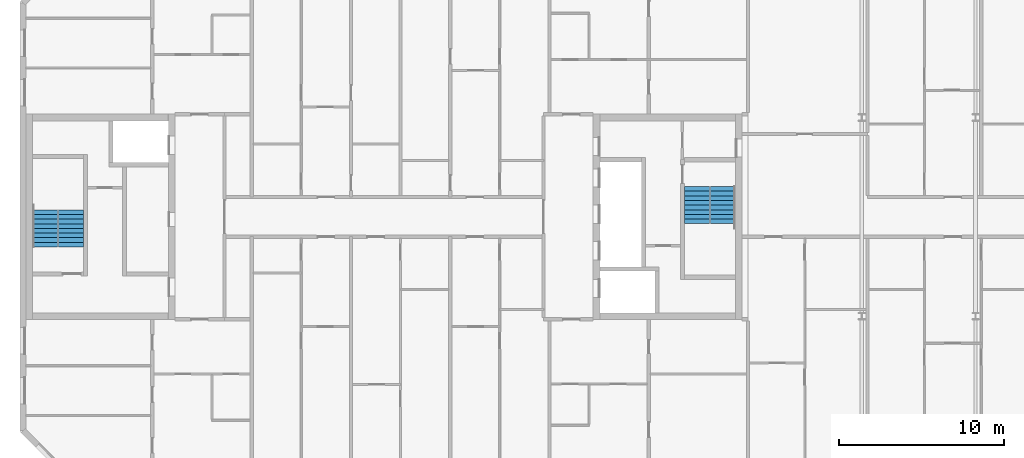
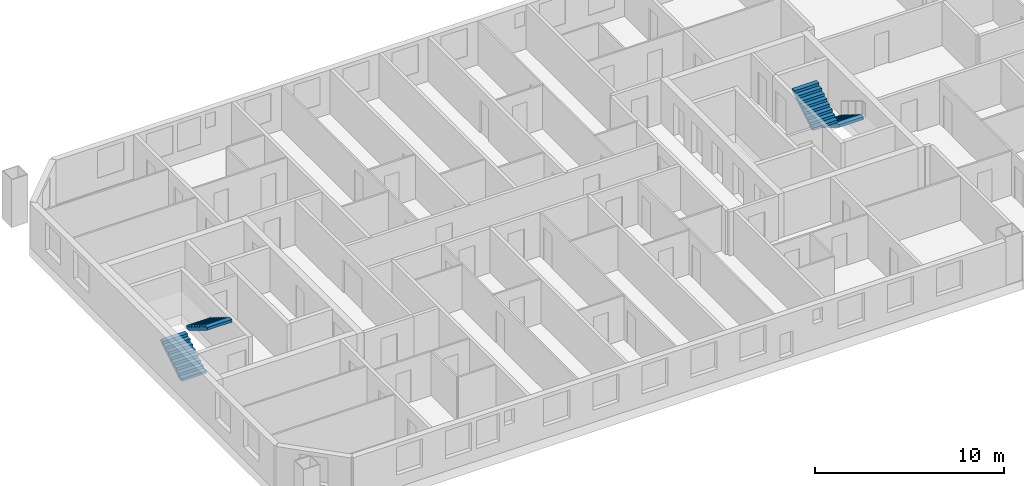
# One storey, part 18 of 19: 4 stair flights, 2 elements without a shape of their own.
"""IFC4 building model written with IfcOpenShell, lengths in metres."""

from ifc_helpers import new_model, si_unit, direction, frame, origin, place, context, subcontext, project, spatial, faceted_brep, material, type_object, element, aggregate, save


model = new_model("IFC4")

# Units and contexts
model_context = context("Model", 3, precision=1e-05, world=origin(), true_north=direction((0.0, 1.0)))
body_context = subcontext(model_context, "Body", "Model", "MODEL_VIEW")
ifc_project = project(units=[si_unit("LENGTHUNIT", "METRE"), si_unit("AREAUNIT", "SQUARE_METRE"), si_unit("VOLUMEUNIT", "CUBIC_METRE"), si_unit("PLANEANGLEUNIT", "RADIAN"), si_unit("MASSUNIT", "GRAM", prefix="KILO")], contexts=[model_context])

# Site, building, storey
site_placement = place(None, origin())
site = spatial("IfcSite", under=ifc_project, at=site_placement, CompositionType="ELEMENT")
building_placement = place(site_placement, origin())
building = spatial("IfcBuilding", under=site, at=building_placement, Name="Tuart Gate Housing", CompositionType="ELEMENT")
storey_placement = place(building_placement, frame((0.0, 0.0, 221.39990234375)))
storey = spatial("IfcBuildingStorey", under=building, at=storey_placement, Name="L62", CompositionType="ELEMENT", Elevation=221.39990234375)

# Stair, stair flights
ifc_material_1 = material(Name="Concrete C40", Category="concrete")
stair_type = type_object("IfcStairType", Name="Core stair 1500", PredefinedType="HALF_TURN_STAIR", material=ifc_material_1)
stair_1_placement = place(storey_placement, origin())
stair_1 = element("IfcStair", 1, at=stair_1_placement, inside=storey, type_object=stair_type, Name="Stair SA1", PredefinedType="HALF_TURN_STAIR")
ifc_material_2 = material(Name="Concrete C40", Category="concrete")
stair_flight_type = type_object("IfcStairFlightType", Name="Stair flight 1500, 9 risers 172 x 280", PredefinedType="STRAIGHT", material=ifc_material_2)
stair_flight_1_placement = place(storey_placement, frame((74.489990234375, 71.824951171875, 0.0), z_axis=(0.0, 0.0, 1.0), x_axis=(0.0, -1.0, 0.0)))
stair_flight_1 = element("IfcStairFlight", 2, at=stair_flight_1_placement, type_object=stair_flight_type, Name="SA1 flight 1", NumberOfRisers=9, NumberOfTreads=8, PredefinedType="STRAIGHT", RiserHeight=0.172222222, TreadLength=0.28, context=body_context, shape_type="Brep", body=[
    faceted_brep([(0.0, 0.75, 0.0), (0.0, 0.75, 0.172119140625), (0.280029296875, 0.75, 0.172119140625), (0.280029296875, 0.75, 0.344482421875), (0.56005859375, 0.75, 0.344482421875), (0.56005859375, 0.75, 0.5166015625), (0.840087890625, 0.75, 0.5166015625), (0.840087890625, 0.75, 0.68896484375), (1.1201171875, 0.75, 0.68896484375), (1.1201171875, 0.75, 0.861083984375), (1.39990234375, 0.75, 0.861083984375), (1.39990234375, 0.75, 1.033447265625), (1.679931640625, 0.75, 1.033447265625), (1.679931640625, 0.75, 1.20556640625), (1.9599609375, 0.75, 1.20556640625), (1.9599609375, 0.75, 1.377685546875), (2.239990234375, 0.75, 1.377685546875), (2.239990234375, 0.75, 1.201904296875), (0.2861328125, 0.75, 0.0), (0.2861328125, -0.75, 0.0), (2.239990234375, -0.75, 1.201904296875), (2.239990234375, -0.75, 1.377685546875), (1.9599609375, -0.75, 1.377685546875), (1.9599609375, -0.75, 1.20556640625), (1.679931640625, -0.75, 1.20556640625), (1.679931640625, -0.75, 1.033447265625), (1.39990234375, -0.75, 1.033447265625), (1.39990234375, -0.75, 0.861083984375), (1.1201171875, -0.75, 0.861083984375), (1.1201171875, -0.75, 0.68896484375), (0.840087890625, -0.75, 0.68896484375), (0.840087890625, -0.75, 0.5166015625), (0.56005859375, -0.75, 0.5166015625), (0.56005859375, -0.75, 0.344482421875), (0.280029296875, -0.75, 0.344482421875), (0.280029296875, -0.75, 0.172119140625), (0.0, -0.75, 0.172119140625), (0.0, -0.75, 0.0), (2.239990234375, 0.0, 1.201904296875), (0.2861328125, 0.0, 0.0), (2.239990234375, 0.0, 1.377685546875), (1.9599609375, 0.0, 1.377685546875), (1.9599609375, 0.0, 1.20556640625), (1.679931640625, 0.0, 1.20556640625), (1.679931640625, 0.0, 1.033447265625), (1.39990234375, 0.0, 1.033447265625), (1.39990234375, 0.0, 0.861083984375), (1.1201171875, 0.0, 0.861083984375), (1.1201171875, 0.0, 0.68896484375), (0.840087890625, 0.0, 0.68896484375), (0.840087890625, 0.0, 0.5166015625), (0.56005859375, 0.0, 0.5166015625), (0.56005859375, 0.0, 0.344482421875), (0.280029296875, 0.0, 0.344482421875), (0.280029296875, 0.0, 0.172119140625), (0.0, 0.0, 0.172119140625), (0.0, 0.0, 0.0)], [[[0, 1, 2, 3, 4, 5, 6, 7, 8, 9, 10, 11, 12, 13, 14, 15, 16, 17, 18]], [[19, 20, 21, 22, 23, 24, 25, 26, 27, 28, 29, 30, 31, 32, 33, 34, 35, 36, 37]], [[18, 17, 38, 39]], [[39, 38, 20, 19]], [[17, 16, 40, 38]], [[38, 40, 21, 20]], [[16, 15, 41, 40]], [[40, 41, 22, 21]], [[15, 14, 42, 41]], [[41, 42, 23, 22]], [[14, 13, 43, 42]], [[42, 43, 24, 23]], [[13, 12, 44, 43]], [[43, 44, 25, 24]], [[12, 11, 45, 44]], [[44, 45, 26, 25]], [[11, 10, 46, 45]], [[45, 46, 27, 26]], [[10, 9, 47, 46]], [[46, 47, 28, 27]], [[9, 8, 48, 47]], [[47, 48, 29, 28]], [[8, 7, 49, 48]], [[48, 49, 30, 29]], [[7, 6, 50, 49]], [[49, 50, 31, 30]], [[6, 5, 51, 50]], [[50, 51, 32, 31]], [[5, 4, 52, 51]], [[51, 52, 33, 32]], [[4, 3, 53, 52]], [[52, 53, 34, 33]], [[3, 2, 54, 53]], [[53, 54, 35, 34]], [[2, 1, 55, 54]], [[54, 55, 36, 35]], [[1, 0, 56, 55]], [[55, 56, 37, 36]], [[0, 18, 39, 56]], [[56, 39, 19, 37]]]),
])
stair_flight_2_placement = place(storey_placement, frame((72.9150390625, 69.5849609375, 1.550048828125), z_axis=(0.0, 0.0, 1.0), x_axis=(0.0, 1.0, 0.0)))
stair_flight_2 = element("IfcStairFlight", 3, at=stair_flight_2_placement, type_object=stair_flight_type, Name="SA1 flight 2", NumberOfRisers=9, NumberOfTreads=8, PredefinedType="STRAIGHT", RiserHeight=0.172222222, TreadLength=0.28, context=body_context, shape_type="Brep", body=[
    faceted_brep([(0.0, 0.75, 0.0), (0.0, 0.75, 0.172119140625), (0.280029296875, 0.75, 0.172119140625), (0.280029296875, 0.75, 0.344482421875), (0.56005859375, 0.75, 0.344482421875), (0.56005859375, 0.75, 0.5166015625), (0.840087890625, 0.75, 0.5166015625), (0.840087890625, 0.75, 0.68896484375), (1.1201171875, 0.75, 0.68896484375), (1.1201171875, 0.75, 0.861083984375), (1.39990234375, 0.75, 0.861083984375), (1.39990234375, 0.75, 1.033447265625), (1.679931640625, 0.75, 1.033447265625), (1.679931640625, 0.75, 1.20556640625), (1.9599609375, 0.75, 1.20556640625), (1.9599609375, 0.75, 1.377685546875), (2.239990234375, 0.75, 1.377685546875), (2.239990234375, 0.75, 1.201904296875), (0.2861328125, 0.75, 0.0), (0.2861328125, -0.75, 0.0), (2.239990234375, -0.75, 1.201904296875), (2.239990234375, -0.75, 1.377685546875), (1.9599609375, -0.75, 1.377685546875), (1.9599609375, -0.75, 1.20556640625), (1.679931640625, -0.75, 1.20556640625), (1.679931640625, -0.75, 1.033447265625), (1.39990234375, -0.75, 1.033447265625), (1.39990234375, -0.75, 0.861083984375), (1.1201171875, -0.75, 0.861083984375), (1.1201171875, -0.75, 0.68896484375), (0.840087890625, -0.75, 0.68896484375), (0.840087890625, -0.75, 0.5166015625), (0.56005859375, -0.75, 0.5166015625), (0.56005859375, -0.75, 0.344482421875), (0.280029296875, -0.75, 0.344482421875), (0.280029296875, -0.75, 0.172119140625), (0.0, -0.75, 0.172119140625), (0.0, -0.75, 0.0), (2.239990234375, 0.0, 1.201904296875), (0.2861328125, 0.0, 0.0), (2.239990234375, 0.0, 1.377685546875), (1.9599609375, 0.0, 1.377685546875), (1.9599609375, 0.0, 1.20556640625), (1.679931640625, 0.0, 1.20556640625), (1.679931640625, 0.0, 1.033447265625), (1.39990234375, 0.0, 1.033447265625), (1.39990234375, 0.0, 0.861083984375), (1.1201171875, 0.0, 0.861083984375), (1.1201171875, 0.0, 0.68896484375), (0.840087890625, 0.0, 0.68896484375), (0.840087890625, 0.0, 0.5166015625), (0.56005859375, 0.0, 0.5166015625), (0.56005859375, 0.0, 0.344482421875), (0.280029296875, 0.0, 0.344482421875), (0.280029296875, 0.0, 0.172119140625), (0.0, 0.0, 0.172119140625), (0.0, 0.0, 0.0)], [[[0, 1, 2, 3, 4, 5, 6, 7, 8, 9, 10, 11, 12, 13, 14, 15, 16, 17, 18]], [[19, 20, 21, 22, 23, 24, 25, 26, 27, 28, 29, 30, 31, 32, 33, 34, 35, 36, 37]], [[18, 17, 38, 39]], [[39, 38, 20, 19]], [[17, 16, 40, 38]], [[38, 40, 21, 20]], [[16, 15, 41, 40]], [[40, 41, 22, 21]], [[15, 14, 42, 41]], [[41, 42, 23, 22]], [[14, 13, 43, 42]], [[42, 43, 24, 23]], [[13, 12, 44, 43]], [[43, 44, 25, 24]], [[12, 11, 45, 44]], [[44, 45, 26, 25]], [[11, 10, 46, 45]], [[45, 46, 27, 26]], [[10, 9, 47, 46]], [[46, 47, 28, 27]], [[9, 8, 48, 47]], [[47, 48, 29, 28]], [[8, 7, 49, 48]], [[48, 49, 30, 29]], [[7, 6, 50, 49]], [[49, 50, 31, 30]], [[6, 5, 51, 50]], [[50, 51, 32, 31]], [[5, 4, 52, 51]], [[51, 52, 33, 32]], [[4, 3, 53, 52]], [[52, 53, 34, 33]], [[3, 2, 54, 53]], [[53, 54, 35, 34]], [[2, 1, 55, 54]], [[54, 55, 36, 35]], [[1, 0, 56, 55]], [[55, 56, 37, 36]], [[0, 18, 39, 56]], [[56, 39, 19, 37]]]),
])
aggregate(stair_1, [stair_flight_1, stair_flight_2])

stair_2_placement = place(storey_placement, origin())
stair_2 = element("IfcStair", 4, at=stair_2_placement, inside=storey, type_object=stair_type, Name="Stair SA2", PredefinedType="HALF_TURN_STAIR")
stair_flight_3_placement = place(storey_placement, frame((33.510009765625, 68.175048828125, 0.0), z_axis=(0.0, 0.0, 1.0), x_axis=(0.0, 1.0, 0.0)))
stair_flight_3 = element("IfcStairFlight", 5, at=stair_flight_3_placement, type_object=stair_flight_type, Name="SA2 flight 1", NumberOfRisers=9, NumberOfTreads=8, PredefinedType="STRAIGHT", RiserHeight=0.172222222, TreadLength=0.28, context=body_context, shape_type="Brep", body=[
    faceted_brep([(0.0, 0.75, 0.0), (0.0, 0.75, 0.172119140625), (0.280029296875, 0.75, 0.172119140625), (0.280029296875, 0.75, 0.344482421875), (0.56005859375, 0.75, 0.344482421875), (0.56005859375, 0.75, 0.5166015625), (0.840087890625, 0.75, 0.5166015625), (0.840087890625, 0.75, 0.68896484375), (1.1201171875, 0.75, 0.68896484375), (1.1201171875, 0.75, 0.861083984375), (1.39990234375, 0.75, 0.861083984375), (1.39990234375, 0.75, 1.033447265625), (1.679931640625, 0.75, 1.033447265625), (1.679931640625, 0.75, 1.20556640625), (1.9599609375, 0.75, 1.20556640625), (1.9599609375, 0.75, 1.377685546875), (2.239990234375, 0.75, 1.377685546875), (2.239990234375, 0.75, 1.201904296875), (0.2861328125, 0.75, 0.0), (0.2861328125, -0.75, 0.0), (2.239990234375, -0.75, 1.201904296875), (2.239990234375, -0.75, 1.377685546875), (1.9599609375, -0.75, 1.377685546875), (1.9599609375, -0.75, 1.20556640625), (1.679931640625, -0.75, 1.20556640625), (1.679931640625, -0.75, 1.033447265625), (1.39990234375, -0.75, 1.033447265625), (1.39990234375, -0.75, 0.861083984375), (1.1201171875, -0.75, 0.861083984375), (1.1201171875, -0.75, 0.68896484375), (0.840087890625, -0.75, 0.68896484375), (0.840087890625, -0.75, 0.5166015625), (0.56005859375, -0.75, 0.5166015625), (0.56005859375, -0.75, 0.344482421875), (0.280029296875, -0.75, 0.344482421875), (0.280029296875, -0.75, 0.172119140625), (0.0, -0.75, 0.172119140625), (0.0, -0.75, 0.0), (2.239990234375, 0.0, 1.201904296875), (0.2861328125, 0.0, 0.0), (2.239990234375, 0.0, 1.377685546875), (1.9599609375, 0.0, 1.377685546875), (1.9599609375, 0.0, 1.20556640625), (1.679931640625, 0.0, 1.20556640625), (1.679931640625, 0.0, 1.033447265625), (1.39990234375, 0.0, 1.033447265625), (1.39990234375, 0.0, 0.861083984375), (1.1201171875, 0.0, 0.861083984375), (1.1201171875, 0.0, 0.68896484375), (0.840087890625, 0.0, 0.68896484375), (0.840087890625, 0.0, 0.5166015625), (0.56005859375, 0.0, 0.5166015625), (0.56005859375, 0.0, 0.344482421875), (0.280029296875, 0.0, 0.344482421875), (0.280029296875, 0.0, 0.172119140625), (0.0, 0.0, 0.172119140625), (0.0, 0.0, 0.0)], [[[0, 1, 2, 3, 4, 5, 6, 7, 8, 9, 10, 11, 12, 13, 14, 15, 16, 17, 18]], [[19, 20, 21, 22, 23, 24, 25, 26, 27, 28, 29, 30, 31, 32, 33, 34, 35, 36, 37]], [[18, 17, 38, 39]], [[39, 38, 20, 19]], [[17, 16, 40, 38]], [[38, 40, 21, 20]], [[16, 15, 41, 40]], [[40, 41, 22, 21]], [[15, 14, 42, 41]], [[41, 42, 23, 22]], [[14, 13, 43, 42]], [[42, 43, 24, 23]], [[13, 12, 44, 43]], [[43, 44, 25, 24]], [[12, 11, 45, 44]], [[44, 45, 26, 25]], [[11, 10, 46, 45]], [[45, 46, 27, 26]], [[10, 9, 47, 46]], [[46, 47, 28, 27]], [[9, 8, 48, 47]], [[47, 48, 29, 28]], [[8, 7, 49, 48]], [[48, 49, 30, 29]], [[7, 6, 50, 49]], [[49, 50, 31, 30]], [[6, 5, 51, 50]], [[50, 51, 32, 31]], [[5, 4, 52, 51]], [[51, 52, 33, 32]], [[4, 3, 53, 52]], [[52, 53, 34, 33]], [[3, 2, 54, 53]], [[53, 54, 35, 34]], [[2, 1, 55, 54]], [[54, 55, 36, 35]], [[1, 0, 56, 55]], [[55, 56, 37, 36]], [[0, 18, 39, 56]], [[56, 39, 19, 37]]]),
])
stair_flight_4_placement = place(storey_placement, frame((35.0849609375, 70.4150390625, 1.550048828125), z_axis=(0.0, 0.0, 1.0), x_axis=(0.0, -1.0, 0.0)))
stair_flight_4 = element("IfcStairFlight", 6, at=stair_flight_4_placement, type_object=stair_flight_type, Name="SA2 flight 2", NumberOfRisers=9, NumberOfTreads=8, PredefinedType="STRAIGHT", RiserHeight=0.172222222, TreadLength=0.28, context=body_context, shape_type="Brep", body=[
    faceted_brep([(0.0, 0.75, 0.0), (0.0, 0.75, 0.172119140625), (0.280029296875, 0.75, 0.172119140625), (0.280029296875, 0.75, 0.344482421875), (0.56005859375, 0.75, 0.344482421875), (0.56005859375, 0.75, 0.5166015625), (0.840087890625, 0.75, 0.5166015625), (0.840087890625, 0.75, 0.68896484375), (1.1201171875, 0.75, 0.68896484375), (1.1201171875, 0.75, 0.861083984375), (1.39990234375, 0.75, 0.861083984375), (1.39990234375, 0.75, 1.033447265625), (1.679931640625, 0.75, 1.033447265625), (1.679931640625, 0.75, 1.20556640625), (1.9599609375, 0.75, 1.20556640625), (1.9599609375, 0.75, 1.377685546875), (2.239990234375, 0.75, 1.377685546875), (2.239990234375, 0.75, 1.201904296875), (0.2861328125, 0.75, 0.0), (0.2861328125, -0.75, 0.0), (2.239990234375, -0.75, 1.201904296875), (2.239990234375, -0.75, 1.377685546875), (1.9599609375, -0.75, 1.377685546875), (1.9599609375, -0.75, 1.20556640625), (1.679931640625, -0.75, 1.20556640625), (1.679931640625, -0.75, 1.033447265625), (1.39990234375, -0.75, 1.033447265625), (1.39990234375, -0.75, 0.861083984375), (1.1201171875, -0.75, 0.861083984375), (1.1201171875, -0.75, 0.68896484375), (0.840087890625, -0.75, 0.68896484375), (0.840087890625, -0.75, 0.5166015625), (0.56005859375, -0.75, 0.5166015625), (0.56005859375, -0.75, 0.344482421875), (0.280029296875, -0.75, 0.344482421875), (0.280029296875, -0.75, 0.172119140625), (0.0, -0.75, 0.172119140625), (0.0, -0.75, 0.0), (2.239990234375, 0.0, 1.201904296875), (0.2861328125, 0.0, 0.0), (2.239990234375, 0.0, 1.377685546875), (1.9599609375, 0.0, 1.377685546875), (1.9599609375, 0.0, 1.20556640625), (1.679931640625, 0.0, 1.20556640625), (1.679931640625, 0.0, 1.033447265625), (1.39990234375, 0.0, 1.033447265625), (1.39990234375, 0.0, 0.861083984375), (1.1201171875, 0.0, 0.861083984375), (1.1201171875, 0.0, 0.68896484375), (0.840087890625, 0.0, 0.68896484375), (0.840087890625, 0.0, 0.5166015625), (0.56005859375, 0.0, 0.5166015625), (0.56005859375, 0.0, 0.344482421875), (0.280029296875, 0.0, 0.344482421875), (0.280029296875, 0.0, 0.172119140625), (0.0, 0.0, 0.172119140625), (0.0, 0.0, 0.0)], [[[0, 1, 2, 3, 4, 5, 6, 7, 8, 9, 10, 11, 12, 13, 14, 15, 16, 17, 18]], [[19, 20, 21, 22, 23, 24, 25, 26, 27, 28, 29, 30, 31, 32, 33, 34, 35, 36, 37]], [[18, 17, 38, 39]], [[39, 38, 20, 19]], [[17, 16, 40, 38]], [[38, 40, 21, 20]], [[16, 15, 41, 40]], [[40, 41, 22, 21]], [[15, 14, 42, 41]], [[41, 42, 23, 22]], [[14, 13, 43, 42]], [[42, 43, 24, 23]], [[13, 12, 44, 43]], [[43, 44, 25, 24]], [[12, 11, 45, 44]], [[44, 45, 26, 25]], [[11, 10, 46, 45]], [[45, 46, 27, 26]], [[10, 9, 47, 46]], [[46, 47, 28, 27]], [[9, 8, 48, 47]], [[47, 48, 29, 28]], [[8, 7, 49, 48]], [[48, 49, 30, 29]], [[7, 6, 50, 49]], [[49, 50, 31, 30]], [[6, 5, 51, 50]], [[50, 51, 32, 31]], [[5, 4, 52, 51]], [[51, 52, 33, 32]], [[4, 3, 53, 52]], [[52, 53, 34, 33]], [[3, 2, 54, 53]], [[53, 54, 35, 34]], [[2, 1, 55, 54]], [[54, 55, 36, 35]], [[1, 0, 56, 55]], [[55, 56, 37, 36]], [[0, 18, 39, 56]], [[56, 39, 19, 37]]]),
])
aggregate(stair_2, [stair_flight_3, stair_flight_4])

save(model, "model.ifc")
